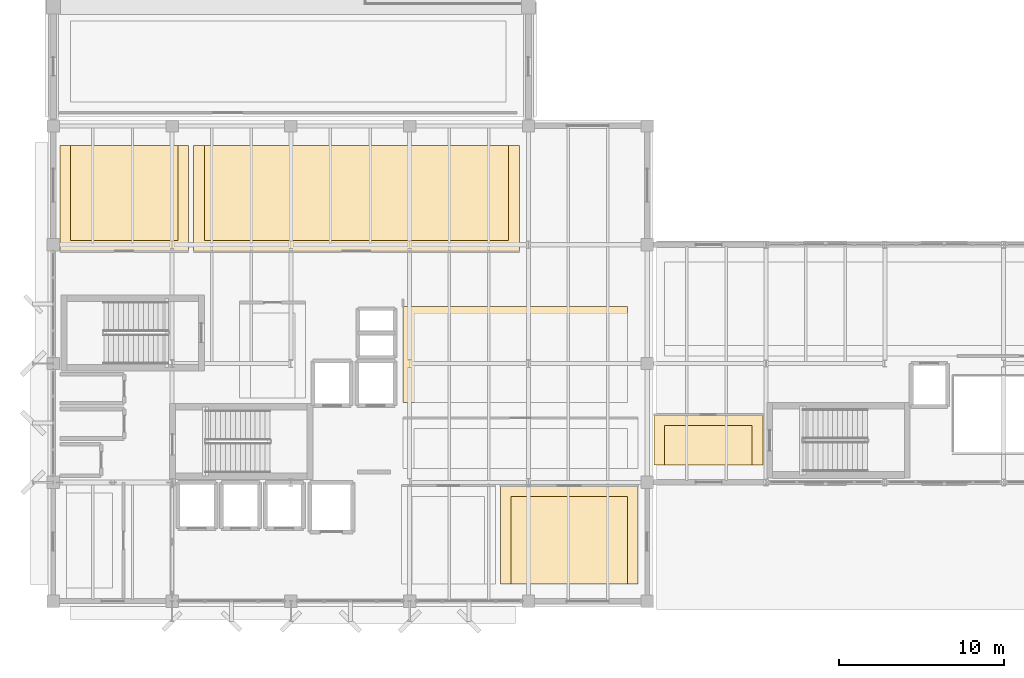
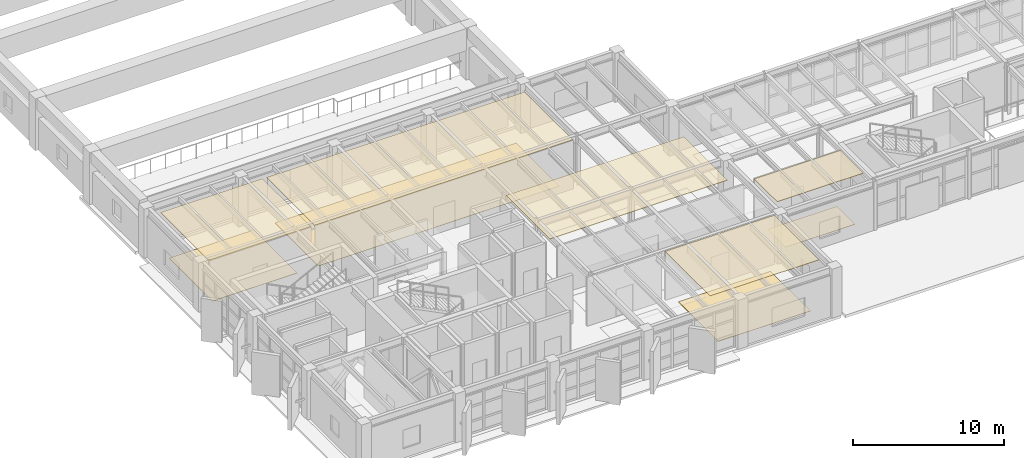
# One storey, part 34 of 37: 9 coverings.
"""IFC4 building model written with IfcOpenShell, lengths in metres."""

from ifc_helpers import new_model, si_unit, direction, frame, origin, place, context, subcontext, project, spatial, polyline, outline, extrude, material, layer, layer_set, type_object, element, save


model = new_model("IFC4")

# Units and contexts
model_context = context("Model", 3, precision=1e-05, world=origin(), true_north=direction((0.0, 1.0)))
body_context = subcontext(model_context, "Body", "Model", "MODEL_VIEW")
ifc_project = project(units=[si_unit("LENGTHUNIT", "METRE"), si_unit("AREAUNIT", "SQUARE_METRE"), si_unit("VOLUMEUNIT", "CUBIC_METRE"), si_unit("PLANEANGLEUNIT", "RADIAN"), si_unit("MASSUNIT", "GRAM", prefix="KILO")], contexts=[model_context])

# Site, building, storey
site_placement = place(None, origin())
site = spatial("IfcSite", under=ifc_project, at=site_placement, CompositionType="ELEMENT")
building_placement = place(site_placement, origin())
building = spatial("IfcBuilding", under=site, at=building_placement, Name="Kandorven Conservatory and Botanical Research Centre", CompositionType="ELEMENT")
storey_placement = place(building_placement, frame((0.0, 0.0, 9.0)))
storey = spatial("IfcBuildingStorey", under=building, at=storey_placement, Name="L02", CompositionType="ELEMENT", Elevation=9.0)

# Coverings
ifc_material_1 = material(Name="Perforated mineral-fibre acoustic ceiling tile", Category="gypsum")
ifc_layer_1 = layer(ifc_material_1, 0.0400390625)
ifc_layer_set_1 = layer_set([ifc_layer_1], Name="Perforated mineral-fibre acoustic ceiling tile")
covering_type_1 = type_object("IfcCoveringType", Name="Cov_Ceiling_1", PredefinedType="CEILING", material=ifc_layer_set_1)
covering_1_placement = place(storey_placement, frame((0.0, 0.0, 3.89990234375)))
element("IfcCovering", 1, at=covering_1_placement, inside=storey, type_object=covering_type_1, Name="Suspended acoustic ceiling CLG-01 (Ethnobotany Field Specimen Studio L02)", PredefinedType="CEILING", context=body_context, shape_type="SweptSolid", body=[
    extrude(outline(polyline([(6.39990234375, 27.199951171875), (14.199951171875, 27.199951171875), (14.199951171875, 33.60009765625), (6.39990234375, 33.60009765625), (6.39990234375, 27.199951171875)])), origin(), (0.0, 0.0, 1.0), 0.0400390625),
])
covering_2_placement = place(storey_placement, frame((0.0, 0.0, 3.89990234375)))
element("IfcCovering", 2, at=covering_2_placement, inside=storey, type_object=covering_type_1, Name="Suspended acoustic ceiling CLG-01 (Cytology and Anatomy Research Laboratory L02)", PredefinedType="CEILING", context=body_context, shape_type="SweptSolid", body=[
    extrude(outline(polyline([(33.10009765625, 7.050048828125), (41.449951171875, 7.050048828125), (41.449951171875, 13.0), (33.10009765625, 13.0), (33.10009765625, 7.050048828125)])), origin(), (0.0, 0.0, 1.0), 0.0400390625),
])
covering_3_placement = place(storey_placement, frame((0.0, 0.0, 3.89990234375)))
element("IfcCovering", 3, at=covering_3_placement, inside=storey, type_object=covering_type_1, Name="Suspended acoustic ceiling CLG-01 (Tissue Culture Clean Research Laboratory L02)", PredefinedType="CEILING", context=body_context, shape_type="SweptSolid", body=[
    extrude(outline(polyline([(27.199951171875, 18.050048828125), (40.800048828125, 18.050048828125), (40.800048828125, 23.85009765625), (27.199951171875, 23.85009765625), (27.199951171875, 18.050048828125)])), origin(), (0.0, 0.0, 1.0), 0.0400390625),
])
covering_4_placement = place(storey_placement, frame((0.0, 0.0, 3.89990234375)))
element("IfcCovering", 4, at=covering_4_placement, inside=storey, type_object=covering_type_1, Name="Suspended acoustic ceiling CLG-01 (Botanical Research Seminar Room L02)", PredefinedType="CEILING", context=body_context, shape_type="SweptSolid", body=[
    extrude(outline(polyline([(14.5, 27.199951171875), (34.25, 27.199951171875), (34.25, 33.60009765625), (14.5, 33.60009765625), (14.5, 27.199951171875)])), origin(), (0.0, 0.0, 1.0), 0.0400390625),
])
covering_5_placement = place(storey_placement, frame((0.0, 0.0, 3.89990234375)))
element("IfcCovering", 5, at=covering_5_placement, inside=storey, type_object=covering_type_1, Name="Suspended acoustic ceiling CLG-01 (Botanical Education Classroom 1)", PredefinedType="CEILING", context=body_context, shape_type="SweptSolid", body=[
    extrude(outline(polyline([(42.39990234375, 14.25), (49.0, 14.25), (49.0, 17.300048828125), (42.39990234375, 17.300048828125), (42.39990234375, 14.25)])), origin(), (0.0, 0.0, 1.0), 0.0400390625),
])
ifc_material_2 = material(Name="Honed Kota stone and epoxy laboratory flooring", Category="masonry")
ifc_layer_2 = layer(ifc_material_2, 0.02490234375)
ifc_layer_set_2 = layer_set([ifc_layer_2], Name="Honed Kota stone and epoxy laboratory flooring")
covering_type_2 = type_object("IfcCoveringType", Name="Cov_Flooring_1", PredefinedType="FLOORING", material=ifc_layer_set_2)
covering_6_placement = place(storey_placement, origin())
element("IfcCovering", 6, at=covering_6_placement, inside=storey, type_object=covering_type_2, Name="Floor finish FLR-01 (Ethnobotany Field Specimen Studio L02)", PredefinedType="FLOORING", context=body_context, shape_type="SweptSolid", body=[
    extrude(outline(polyline([(7.050048828125, 27.85009765625), (13.550048828125, 27.85009765625), (13.550048828125, 33.60009765625), (7.050048828125, 33.60009765625), (7.050048828125, 27.85009765625)])), origin(), (0.0, 0.0, 1.0), 0.02490234375),
])
covering_7_placement = place(storey_placement, origin())
element("IfcCovering", 7, at=covering_7_placement, inside=storey, type_object=covering_type_2, Name="Floor finish FLR-01 (Cytology and Anatomy Research Laboratory L02)", PredefinedType="FLOORING", context=body_context, shape_type="SweptSolid", body=[
    extrude(outline(polyline([(33.75, 7.050048828125), (40.800048828125, 7.050048828125), (40.800048828125, 12.35009765625), (33.75, 12.35009765625), (33.75, 7.050048828125)])), origin(), (0.0, 0.0, 1.0), 0.02490234375),
])
covering_8_placement = place(storey_placement, origin())
element("IfcCovering", 8, at=covering_8_placement, inside=storey, type_object=covering_type_2, Name="Floor finish FLR-01 (Botanical Research Seminar Room L02)", PredefinedType="FLOORING", context=body_context, shape_type="SweptSolid", body=[
    extrude(outline(polyline([(15.14990234375, 27.85009765625), (33.60009765625, 27.85009765625), (33.60009765625, 33.60009765625), (15.14990234375, 33.60009765625), (15.14990234375, 27.85009765625)])), origin(), (0.0, 0.0, 1.0), 0.02490234375),
])
covering_9_placement = place(storey_placement, origin())
element("IfcCovering", 9, at=covering_9_placement, inside=storey, type_object=covering_type_2, Name="Floor finish FLR-01 (Botanical Education Classroom 1)", PredefinedType="FLOORING", context=body_context, shape_type="SweptSolid", body=[
    extrude(outline(polyline([(43.050048828125, 14.25), (48.35009765625, 14.25), (48.35009765625, 16.64990234375), (43.050048828125, 16.64990234375), (43.050048828125, 14.25)])), origin(), (0.0, 0.0, 1.0), 0.02490234375),
])

save(model, "model.ifc")
